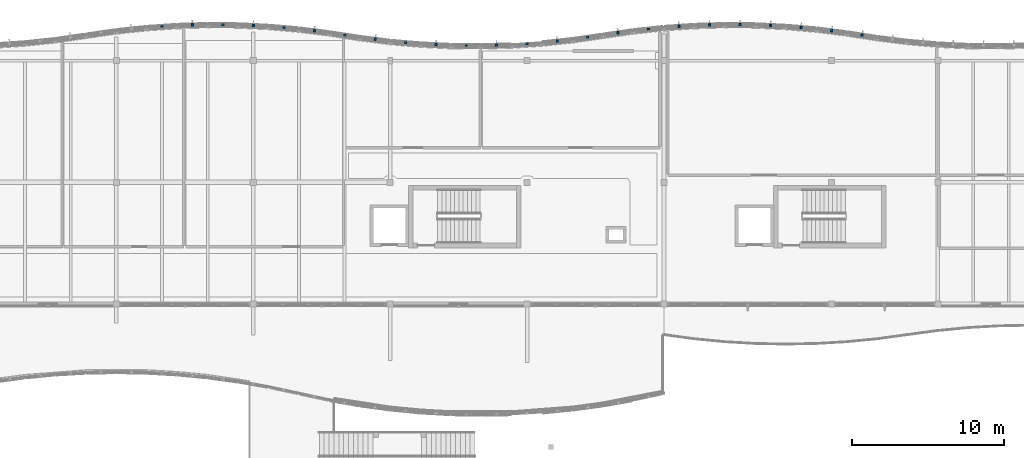
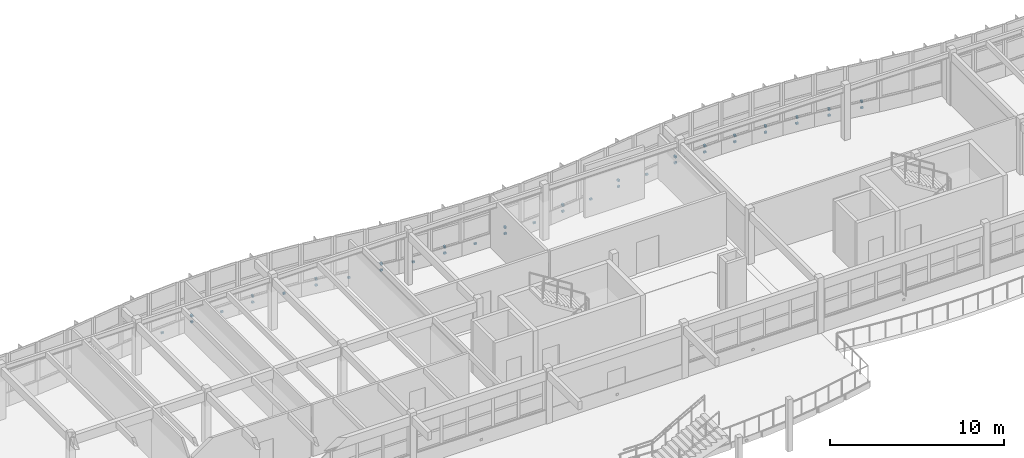
# One storey, part 40 of 52: 39 discrete accessories.
"""IFC4 building model written with IfcOpenShell, lengths in metres."""

from ifc_helpers import new_model, si_unit, direction, frame, origin, origin_2d, place, context, subcontext, project, spatial, rectangle, extrude, material, type_object, element, save


model = new_model("IFC4")

# Units and contexts
model_context = context("Model", 3, precision=1e-05, world=origin(), true_north=direction((0.0, 1.0)))
body_context = subcontext(model_context, "Body", "Model", "MODEL_VIEW")
ifc_project = project(units=[si_unit("LENGTHUNIT", "METRE"), si_unit("AREAUNIT", "SQUARE_METRE"), si_unit("VOLUMEUNIT", "CUBIC_METRE"), si_unit("PLANEANGLEUNIT", "RADIAN"), si_unit("MASSUNIT", "GRAM", prefix="KILO")], contexts=[model_context])

# Site, building, storey
site_placement = place(None, origin())
site = spatial("IfcSite", under=ifc_project, at=site_placement, CompositionType="ELEMENT")
building_placement = place(site_placement, origin())
building = spatial("IfcBuilding", under=site, at=building_placement, Name="Tonlespit Floodbar School", CompositionType="ELEMENT")
storey_placement = place(building_placement, frame((0.0, 0.0, 12.300048828125)))
storey = spatial("IfcBuildingStorey", under=building, at=storey_placement, Name="L03", CompositionType="ELEMENT", Elevation=12.300048828125)

# Discrete accessories
ifc_material = material(Name="Galvanised Steel", Category="steel")
discrete_accessory_type = type_object("IfcDiscreteAccessoryType", Name="Bracket_Facade_S355", PredefinedType="BRACKET", material=ifc_material)
for number, where, z_axis, x_axis, name in (
    (1, (82.9912109375, 122.25146484375, 0.35498046875), (0.0, 0.0, 1.0), (0.997729639049, 0.067346621018, 0.0), "L03 white band support bracket 0233"),
    (2, (84.996337890625, 122.34814453125, 0.35498046875), (0.0, 0.0, 1.0), (0.999584110869, 0.02883756748, 0.0), "L03 white band support bracket 0234"),
):
    element("IfcDiscreteAccessory", number, at=place(storey_placement, frame(where, z_axis=z_axis, x_axis=x_axis)), inside=storey, type_object=discrete_accessory_type, Name=name, PredefinedType="BRACKET", context=body_context, shape_type="SweptSolid", body=[
        extrude(rectangle(XDim=0.159912109375, YDim=0.1201171875, at=origin_2d()), origin(), (0.0, 0.0, 1.0), 0.1201171875),
    ])
discrete_accessory_1_placement = place(storey_placement, frame((84.99609375, 122.358154296875, 0.77978515625), z_axis=(0.0, 0.0, 1.0), x_axis=(0.999584110869, 0.02883756748, 0.0)))
element("IfcDiscreteAccessory", 3, at=discrete_accessory_1_placement, inside=storey, type_object=discrete_accessory_type, Name="Solar fin support bracket 066", PredefinedType="BRACKET", context=body_context, shape_type="SweptSolid", body=[
    extrude(rectangle(XDim=0.1201171875, YDim=0.179931640625, at=origin_2d()), origin(), (0.0, 0.0, 1.0), 0.139892578125),
])
for number, where, z_axis, x_axis, name in (
    (4, (87.001220703125, 122.367431640625, 0.35498046875), (0.0, 0.0, 1.0), (0.999953926969, -0.009599163462, 0.0), "L03 white band support bracket 0235"),
    (5, (89.00634765625, 122.3095703125, 0.35498046875), (0.0, 0.0, 1.0), (0.998842769234, -0.048094930587, 0.0), "L03 white band support bracket 0236"),
):
    element("IfcDiscreteAccessory", number, at=place(storey_placement, frame(where, z_axis=z_axis, x_axis=x_axis)), inside=storey, type_object=discrete_accessory_type, Name=name, PredefinedType="BRACKET", context=body_context, shape_type="SweptSolid", body=[
        extrude(rectangle(XDim=0.159912109375, YDim=0.1201171875, at=origin_2d()), origin(), (0.0, 0.0, 1.0), 0.1201171875),
    ])
discrete_accessory_2_placement = place(storey_placement, frame((89.006591796875, 122.319580078125, 0.77978515625), z_axis=(0.0, 0.0, 1.0), x_axis=(0.998842769234, -0.048094930587, 0.0)))
element("IfcDiscreteAccessory", 6, at=discrete_accessory_2_placement, inside=storey, type_object=discrete_accessory_type, Name="Solar fin support bracket 067", PredefinedType="BRACKET", context=body_context, shape_type="SweptSolid", body=[
    extrude(rectangle(XDim=0.1201171875, YDim=0.179931640625, at=origin_2d()), origin(), (0.0, 0.0, 1.0), 0.139892578125),
])
for number, where, z_axis, x_axis, name in (
    (7, (91.01123046875, 122.174072265625, 0.35498046875), (0.0, 0.0, 1.0), (0.996245486492, -0.086573267488, 0.0), "L03 white band support bracket 0237"),
    (8, (93.016357421875, 121.960693359375, 0.35498046875), (0.0, 0.0, 1.0), (0.99215533612, -0.125011155539, 0.0), "L03 white band support bracket 0238"),
):
    element("IfcDiscreteAccessory", number, at=place(storey_placement, frame(where, z_axis=z_axis, x_axis=x_axis)), inside=storey, type_object=discrete_accessory_type, Name=name, PredefinedType="BRACKET", context=body_context, shape_type="SweptSolid", body=[
        extrude(rectangle(XDim=0.159912109375, YDim=0.1201171875, at=origin_2d()), origin(), (0.0, 0.0, 1.0), 0.1201171875),
    ])
discrete_accessory_3_placement = place(storey_placement, frame((93.017578125, 121.970703125, 0.77978515625), z_axis=(0.0, 0.0, 1.0), x_axis=(0.99215533612, -0.125011155539, 0.0)))
element("IfcDiscreteAccessory", 9, at=discrete_accessory_3_placement, inside=storey, type_object=discrete_accessory_type, Name="Solar fin support bracket 068", PredefinedType="BRACKET", context=body_context, shape_type="SweptSolid", body=[
    extrude(rectangle(XDim=0.1201171875, YDim=0.179931640625, at=origin_2d()), origin(), (0.0, 0.0, 1.0), 0.139892578125),
])
for number, where, z_axis, x_axis, name in (
    (10, (95.02001953125, 121.678466796875, 0.35498046875), (0.0, 0.0, 1.0), (0.988094768361, -0.153846445322, 0.0), "L03 white band support bracket 0239"),
    (11, (97.016357421875, 121.397216796875, 0.35498046875), (0.0, 0.0, 1.0), (0.99215533612, -0.125011155539, 0.0), "L03 white band support bracket 0240"),
):
    element("IfcDiscreteAccessory", number, at=place(storey_placement, frame(where, z_axis=z_axis, x_axis=x_axis)), inside=storey, type_object=discrete_accessory_type, Name=name, PredefinedType="BRACKET", context=body_context, shape_type="SweptSolid", body=[
        extrude(rectangle(XDim=0.159912109375, YDim=0.1201171875, at=origin_2d()), origin(), (0.0, 0.0, 1.0), 0.1201171875),
    ])
discrete_accessory_4_placement = place(storey_placement, frame((97.017578125, 121.4072265625, 0.77978515625), z_axis=(0.0, 0.0, 1.0), x_axis=(0.99215533612, -0.125011155539, 0.0)))
element("IfcDiscreteAccessory", 12, at=discrete_accessory_4_placement, inside=storey, type_object=discrete_accessory_type, Name="Solar fin support bracket 069", PredefinedType="BRACKET", context=body_context, shape_type="SweptSolid", body=[
    extrude(rectangle(XDim=0.1201171875, YDim=0.179931640625, at=origin_2d()), origin(), (0.0, 0.0, 1.0), 0.139892578125),
])
for number, where, z_axis, x_axis, name in (
    (13, (99.01123046875, 121.184814453125, 0.35498046875), (0.0, 0.0, 1.0), (0.996245486492, -0.086573267488, 0.0), "L03 white band support bracket 0241"),
    (14, (101.00634765625, 121.05029296875, 0.35498046875), (0.0, 0.0, 1.0), (0.998842769234, -0.048094930587, 0.0), "L03 white band support bracket 0242"),
):
    element("IfcDiscreteAccessory", number, at=place(storey_placement, frame(where, z_axis=z_axis, x_axis=x_axis)), inside=storey, type_object=discrete_accessory_type, Name=name, PredefinedType="BRACKET", context=body_context, shape_type="SweptSolid", body=[
        extrude(rectangle(XDim=0.159912109375, YDim=0.1201171875, at=origin_2d()), origin(), (0.0, 0.0, 1.0), 0.1201171875),
    ])
discrete_accessory_5_placement = place(storey_placement, frame((101.006591796875, 121.060302734375, 0.77978515625), z_axis=(0.0, 0.0, 1.0), x_axis=(0.998842769234, -0.048094930587, 0.0)))
element("IfcDiscreteAccessory", 15, at=discrete_accessory_5_placement, inside=storey, type_object=discrete_accessory_type, Name="Solar fin support bracket 070", PredefinedType="BRACKET", context=body_context, shape_type="SweptSolid", body=[
    extrude(rectangle(XDim=0.1201171875, YDim=0.179931640625, at=origin_2d()), origin(), (0.0, 0.0, 1.0), 0.139892578125),
])
for number, where, z_axis, x_axis, name in (
    (16, (103.001220703125, 120.99267578125, 0.35498046875), (0.0, 0.0, 1.0), (0.999953926969, -0.009599163462, 0.0), "L03 white band support bracket 0243"),
    (17, (104.996337890625, 121.01171875, 0.35498046875), (0.0, 0.0, 1.0), (0.999584110869, 0.02883756748, 0.0), "L03 white band support bracket 0244"),
):
    element("IfcDiscreteAccessory", number, at=place(storey_placement, frame(where, z_axis=z_axis, x_axis=x_axis)), inside=storey, type_object=discrete_accessory_type, Name=name, PredefinedType="BRACKET", context=body_context, shape_type="SweptSolid", body=[
        extrude(rectangle(XDim=0.159912109375, YDim=0.1201171875, at=origin_2d()), origin(), (0.0, 0.0, 1.0), 0.1201171875),
    ])
discrete_accessory_6_placement = place(storey_placement, frame((104.99609375, 121.021728515625, 0.77978515625), z_axis=(0.0, 0.0, 1.0), x_axis=(0.999584110869, 0.02883756748, 0.0)))
element("IfcDiscreteAccessory", 18, at=discrete_accessory_6_placement, inside=storey, type_object=discrete_accessory_type, Name="Solar fin support bracket 071", PredefinedType="BRACKET", context=body_context, shape_type="SweptSolid", body=[
    extrude(rectangle(XDim=0.1201171875, YDim=0.179931640625, at=origin_2d()), origin(), (0.0, 0.0, 1.0), 0.139892578125),
])
for number, where, z_axis, x_axis, name in (
    (19, (106.9912109375, 121.10791015625, 0.35498046875), (0.0, 0.0, 1.0), (0.997729639049, 0.067346621018, 0.0), "L03 white band support bracket 0245"),
    (20, (108.986328125, 121.28125, 0.35498046875), (0.0, 0.0, 1.0), (0.99439234017, 0.105753835922, 0.0), "L03 white band support bracket 0246"),
):
    element("IfcDiscreteAccessory", number, at=place(storey_placement, frame(where, z_axis=z_axis, x_axis=x_axis)), inside=storey, type_object=discrete_accessory_type, Name=name, PredefinedType="BRACKET", context=body_context, shape_type="SweptSolid", body=[
        extrude(rectangle(XDim=0.159912109375, YDim=0.1201171875, at=origin_2d()), origin(), (0.0, 0.0, 1.0), 0.1201171875),
    ])
discrete_accessory_7_placement = place(storey_placement, frame((108.985107421875, 121.291259765625, 0.77978515625), z_axis=(0.0, 0.0, 1.0), x_axis=(0.99439234017, 0.105753835922, 0.0)))
element("IfcDiscreteAccessory", 21, at=discrete_accessory_7_placement, inside=storey, type_object=discrete_accessory_type, Name="Solar fin support bracket 072", PredefinedType="BRACKET", context=body_context, shape_type="SweptSolid", body=[
    extrude(rectangle(XDim=0.1201171875, YDim=0.179931640625, at=origin_2d()), origin(), (0.0, 0.0, 1.0), 0.139892578125),
])
for number, where, z_axis, x_axis, name in (
    (22, (110.981201171875, 121.53271484375, 0.35498046875), (0.0, 0.0, 1.0), (0.989537627347, 0.144275029245, 0.0), "L03 white band support bracket 0247"),
    (23, (112.981201171875, 121.824462890625, 0.35498046875), (0.0, 0.0, 1.0), (0.989537627347, 0.144275029245, 0.0), "L03 white band support bracket 0248"),
):
    element("IfcDiscreteAccessory", number, at=place(storey_placement, frame(where, z_axis=z_axis, x_axis=x_axis)), inside=storey, type_object=discrete_accessory_type, Name=name, PredefinedType="BRACKET", context=body_context, shape_type="SweptSolid", body=[
        extrude(rectangle(XDim=0.159912109375, YDim=0.1201171875, at=origin_2d()), origin(), (0.0, 0.0, 1.0), 0.1201171875),
    ])
discrete_accessory_8_placement = place(storey_placement, frame((112.979736328125, 121.834228515625, 0.77978515625), z_axis=(0.0, 0.0, 1.0), x_axis=(0.989537627347, 0.144275029245, 0.0)))
element("IfcDiscreteAccessory", 24, at=discrete_accessory_8_placement, inside=storey, type_object=discrete_accessory_type, Name="Solar fin support bracket 073", PredefinedType="BRACKET", context=body_context, shape_type="SweptSolid", body=[
    extrude(rectangle(XDim=0.1201171875, YDim=0.179931640625, at=origin_2d()), origin(), (0.0, 0.0, 1.0), 0.139892578125),
])
for number, where, z_axis, x_axis, name in (
    (25, (114.986328125, 122.0771484375, 0.35498046875), (0.0, 0.0, 1.0), (0.99439234017, 0.105753835922, 0.0), "L03 white band support bracket 0249"),
    (26, (116.9912109375, 122.25146484375, 0.35498046875), (0.0, 0.0, 1.0), (0.997729639049, 0.067346621018, 0.0), "L03 white band support bracket 0697"),
):
    element("IfcDiscreteAccessory", number, at=place(storey_placement, frame(where, z_axis=z_axis, x_axis=x_axis)), inside=storey, type_object=discrete_accessory_type, Name=name, PredefinedType="BRACKET", context=body_context, shape_type="SweptSolid", body=[
        extrude(rectangle(XDim=0.159912109375, YDim=0.1201171875, at=origin_2d()), origin(), (0.0, 0.0, 1.0), 0.1201171875),
    ])
discrete_accessory_9_placement = place(storey_placement, frame((116.990478515625, 122.261474609375, 0.77978515625), z_axis=(0.0, 0.0, 1.0), x_axis=(0.997729639049, 0.067346621018, 0.0)))
element("IfcDiscreteAccessory", 27, at=discrete_accessory_9_placement, inside=storey, type_object=discrete_accessory_type, Name="Solar fin support bracket 298", PredefinedType="BRACKET", context=body_context, shape_type="SweptSolid", body=[
    extrude(rectangle(XDim=0.1201171875, YDim=0.179931640625, at=origin_2d()), origin(), (0.0, 0.0, 1.0), 0.139892578125),
])
discrete_accessory_10_placement = place(storey_placement, frame((118.996337890625, 122.34814453125, 0.35498046875), z_axis=(0.0, 0.0, 1.0), x_axis=(0.999584110869, 0.02883756748, 0.0)))
element("IfcDiscreteAccessory", 28, at=discrete_accessory_10_placement, inside=storey, type_object=discrete_accessory_type, Name="L03 white band support bracket 0698", PredefinedType="BRACKET", context=body_context, shape_type="SweptSolid", body=[
    extrude(rectangle(XDim=0.159912109375, YDim=0.1201171875, at=origin_2d()), origin(), (0.0, 0.0, 1.0), 0.1201171875),
])
discrete_accessory_11_placement = place(storey_placement, frame((118.99609375, 122.358154296875, 0.77978515625), z_axis=(0.0, 0.0, 1.0), x_axis=(0.999584110869, 0.02883756748, 0.0)))
element("IfcDiscreteAccessory", 29, at=discrete_accessory_11_placement, inside=storey, type_object=discrete_accessory_type, Name="Solar fin support bracket 299", PredefinedType="BRACKET", context=body_context, shape_type="SweptSolid", body=[
    extrude(rectangle(XDim=0.1201171875, YDim=0.179931640625, at=origin_2d()), origin(), (0.0, 0.0, 1.0), 0.139892578125),
])
discrete_accessory_12_placement = place(storey_placement, frame((121.001220703125, 122.367431640625, 0.35498046875), z_axis=(0.0, 0.0, 1.0), x_axis=(0.999953926969, -0.009599163462, 0.0)))
element("IfcDiscreteAccessory", 30, at=discrete_accessory_12_placement, inside=storey, type_object=discrete_accessory_type, Name="L03 white band support bracket 0699", PredefinedType="BRACKET", context=body_context, shape_type="SweptSolid", body=[
    extrude(rectangle(XDim=0.159912109375, YDim=0.1201171875, at=origin_2d()), origin(), (0.0, 0.0, 1.0), 0.1201171875),
])
discrete_accessory_13_placement = place(storey_placement, frame((121.001220703125, 122.37744140625, 0.77978515625), z_axis=(0.0, 0.0, 1.0), x_axis=(0.999953926969, -0.009599163462, 0.0)))
element("IfcDiscreteAccessory", 31, at=discrete_accessory_13_placement, inside=storey, type_object=discrete_accessory_type, Name="Solar fin support bracket 300", PredefinedType="BRACKET", context=body_context, shape_type="SweptSolid", body=[
    extrude(rectangle(XDim=0.1201171875, YDim=0.179931640625, at=origin_2d()), origin(), (0.0, 0.0, 1.0), 0.139892578125),
])
discrete_accessory_14_placement = place(storey_placement, frame((123.00634765625, 122.3095703125, 0.35498046875), z_axis=(0.0, 0.0, 1.0), x_axis=(0.998842769234, -0.048094930587, 0.0)))
element("IfcDiscreteAccessory", 32, at=discrete_accessory_14_placement, inside=storey, type_object=discrete_accessory_type, Name="L03 white band support bracket 0700", PredefinedType="BRACKET", context=body_context, shape_type="SweptSolid", body=[
    extrude(rectangle(XDim=0.159912109375, YDim=0.1201171875, at=origin_2d()), origin(), (0.0, 0.0, 1.0), 0.1201171875),
])
discrete_accessory_15_placement = place(storey_placement, frame((123.006591796875, 122.319580078125, 0.77978515625), z_axis=(0.0, 0.0, 1.0), x_axis=(0.998842769234, -0.048094930587, 0.0)))
element("IfcDiscreteAccessory", 33, at=discrete_accessory_15_placement, inside=storey, type_object=discrete_accessory_type, Name="Solar fin support bracket 301", PredefinedType="BRACKET", context=body_context, shape_type="SweptSolid", body=[
    extrude(rectangle(XDim=0.1201171875, YDim=0.179931640625, at=origin_2d()), origin(), (0.0, 0.0, 1.0), 0.139892578125),
])
discrete_accessory_16_placement = place(storey_placement, frame((125.01123046875, 122.174072265625, 0.35498046875), z_axis=(0.0, 0.0, 1.0), x_axis=(0.996245486492, -0.086573267488, 0.0)))
element("IfcDiscreteAccessory", 34, at=discrete_accessory_16_placement, inside=storey, type_object=discrete_accessory_type, Name="L03 white band support bracket 0701", PredefinedType="BRACKET", context=body_context, shape_type="SweptSolid", body=[
    extrude(rectangle(XDim=0.159912109375, YDim=0.1201171875, at=origin_2d()), origin(), (0.0, 0.0, 1.0), 0.1201171875),
])
discrete_accessory_17_placement = place(storey_placement, frame((125.01220703125, 122.18408203125, 0.77978515625), z_axis=(0.0, 0.0, 1.0), x_axis=(0.996245486492, -0.086573267488, 0.0)))
element("IfcDiscreteAccessory", 35, at=discrete_accessory_17_placement, inside=storey, type_object=discrete_accessory_type, Name="Solar fin support bracket 302", PredefinedType="BRACKET", context=body_context, shape_type="SweptSolid", body=[
    extrude(rectangle(XDim=0.1201171875, YDim=0.179931640625, at=origin_2d()), origin(), (0.0, 0.0, 1.0), 0.139892578125),
])
discrete_accessory_18_placement = place(storey_placement, frame((127.016357421875, 121.960693359375, 0.35498046875), z_axis=(0.0, 0.0, 1.0), x_axis=(0.99215533612, -0.125011155539, 0.0)))
element("IfcDiscreteAccessory", 36, at=discrete_accessory_18_placement, inside=storey, type_object=discrete_accessory_type, Name="L03 white band support bracket 0702", PredefinedType="BRACKET", context=body_context, shape_type="SweptSolid", body=[
    extrude(rectangle(XDim=0.159912109375, YDim=0.1201171875, at=origin_2d()), origin(), (0.0, 0.0, 1.0), 0.1201171875),
])
discrete_accessory_19_placement = place(storey_placement, frame((127.017578125, 121.970703125, 0.77978515625), z_axis=(0.0, 0.0, 1.0), x_axis=(0.99215533612, -0.125011155539, 0.0)))
element("IfcDiscreteAccessory", 37, at=discrete_accessory_19_placement, inside=storey, type_object=discrete_accessory_type, Name="Solar fin support bracket 303", PredefinedType="BRACKET", context=body_context, shape_type="SweptSolid", body=[
    extrude(rectangle(XDim=0.1201171875, YDim=0.179931640625, at=origin_2d()), origin(), (0.0, 0.0, 1.0), 0.139892578125),
])
discrete_accessory_20_placement = place(storey_placement, frame((129.02001953125, 121.678466796875, 0.35498046875), z_axis=(0.0, 0.0, 1.0), x_axis=(0.988094768361, -0.153846445322, 0.0)))
element("IfcDiscreteAccessory", 38, at=discrete_accessory_20_placement, inside=storey, type_object=discrete_accessory_type, Name="L03 white band support bracket 0703", PredefinedType="BRACKET", context=body_context, shape_type="SweptSolid", body=[
    extrude(rectangle(XDim=0.159912109375, YDim=0.1201171875, at=origin_2d()), origin(), (0.0, 0.0, 1.0), 0.1201171875),
])
discrete_accessory_21_placement = place(storey_placement, frame((129.021484375, 121.688232421875, 0.77978515625), z_axis=(0.0, 0.0, 1.0), x_axis=(0.988094768361, -0.153846445322, 0.0)))
element("IfcDiscreteAccessory", 39, at=discrete_accessory_21_placement, inside=storey, type_object=discrete_accessory_type, Name="Solar fin support bracket 304", PredefinedType="BRACKET", context=body_context, shape_type="SweptSolid", body=[
    extrude(rectangle(XDim=0.1201171875, YDim=0.179931640625, at=origin_2d()), origin(), (0.0, 0.0, 1.0), 0.139892578125),
])

save(model, "model.ifc")
